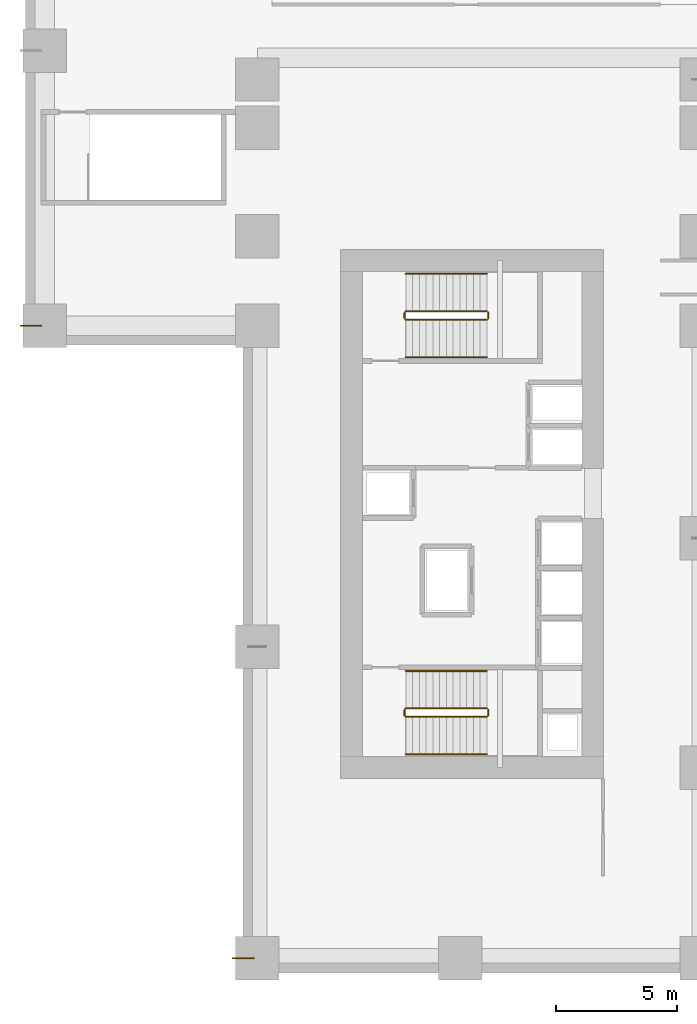
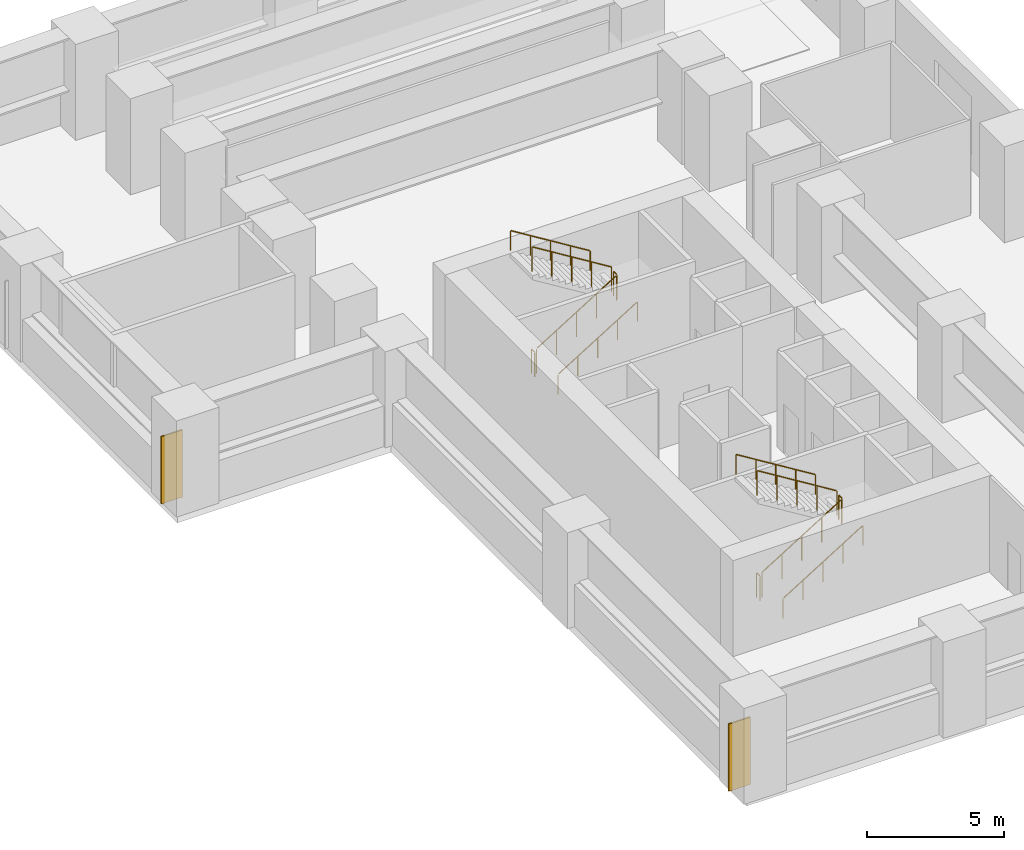
# One storey, part 10 of 12: 12 railings, 2 coverings.
"""IFC4 building model written with IfcOpenShell, lengths in metres."""

from ifc_helpers import new_model, si_unit, direction, frame, origin, origin_2d, place, context, subcontext, project, spatial, rectangle, circle, extrude, source, transform, mapped, material, layer, layer_set, type_object, element, save


model = new_model("IFC4")

# Units and contexts
model_context = context("Model", 3, precision=1e-05, world=origin(), true_north=direction((0.0, 1.0)))
body_context = subcontext(model_context, "Body", "Model", "MODEL_VIEW")
ifc_project = project(units=[si_unit("LENGTHUNIT", "METRE"), si_unit("AREAUNIT", "SQUARE_METRE"), si_unit("VOLUMEUNIT", "CUBIC_METRE"), si_unit("PLANEANGLEUNIT", "RADIAN"), si_unit("MASSUNIT", "GRAM", prefix="KILO")], contexts=[model_context])

# Site, building, storey
site_placement = place(None, origin())
site = spatial("IfcSite", under=ifc_project, at=site_placement, CompositionType="ELEMENT")
building_placement = place(site_placement, origin())
building = spatial("IfcBuilding", under=site, at=building_placement, Name="Kharzan Plaza Tower", CompositionType="ELEMENT")
storey_placement = place(building_placement, frame((0.0, 0.0, 18.0)))
storey = spatial("IfcBuildingStorey", under=building, at=storey_placement, Name="L04", CompositionType="ELEMENT", Elevation=18.0)

# Railings
ifc_material_1 = material(Name="Painted Galvanized Architectural Steel", Category="steel")
ifc_layer_1 = layer(ifc_material_1, 0.074951171875)
ifc_layer_set_1 = layer_set([ifc_layer_1], Name="Painted Galvanized Architectural Steel")
railing_type_1 = type_object("IfcRailingType", Name="RL-GUARD-1120", PredefinedType="BALUSTRADE", material=ifc_layer_set_1)
shared_shape_1 = source(origin(), body_context, "Body", "SweptSolid", [
    extrude(circle(Radius=0.02392578125, at=origin_2d()), frame((0.0224609375, 0.0, 1.10986328125), z_axis=(0.850623216509, 0.0, 0.525775754039), x_axis=(0.0, 1.0, 0.0)), (0.0, 0.0, 1.0), 3.897216796875),
    extrude(circle(Radius=0.02099609375, at=origin_2d()), origin(), (0.0, 0.0, 1.0), 1.072021484375),
    extrude(circle(Radius=0.02099609375, at=origin_2d()), frame((0.840087890625, 0.0, 0.519287109375)), (0.0, 0.0, 1.0), 1.072021484375),
    extrude(circle(Radius=0.02099609375, at=origin_2d()), frame((1.68017578125, 0.0, 1.03857421875)), (0.0, 0.0, 1.0), 1.072021484375),
    extrude(circle(Radius=0.02099609375, at=origin_2d()), frame((2.52001953125, 0.0, 1.5576171875)), (0.0, 0.0, 1.0), 1.072021484375),
    extrude(circle(Radius=0.02099609375, at=origin_2d()), frame((3.360107421875, 0.0, 2.076904296875)), (0.0, 0.0, 1.0), 1.072021484375),
])
for number, where, name in (
    (1, (6.75, 10.60009765625, 0.173095703125), "L04 ST-1 stair guard 1"),
    (2, (6.75, 27.050048828125, 0.173095703125), "L04 ST-2 stair guard 1"),
):
    element("IfcRailing", number, at=place(storey_placement, frame(where)), inside=storey, type_object=railing_type_1, Name=name, PredefinedType="BALUSTRADE", context=body_context, shape_type="MappedRepresentation", body=[
        mapped(shared_shape_1, transform((0.0, 0.0, 0.0), x_axis=(1.0, 0.0, 0.0), y_axis=(0.0, 1.0, 0.0), z_axis=(0.0, 0.0, 1.0))),
    ])
shared_shape_2 = source(origin(), body_context, "Body", "SweptSolid", [
    extrude(circle(Radius=0.02392578125, at=origin_2d()), frame((0.0, 0.0263671875, 1.09619140625), z_axis=(0.0, 1.0, 0.0), x_axis=(-1.0, 0.0, 0.0)), (0.0, 0.0, 1.0), 0.197021484375),
    extrude(circle(Radius=0.02099609375, at=origin_2d()), origin(), (0.0, 0.0, 1.0), 1.072021484375),
    extrude(circle(Radius=0.02099609375, at=origin_2d()), frame((0.0, 0.25, 0.0)), (0.0, 0.0, 1.0), 1.072021484375),
])
for number, where, name in (
    (3, (10.159912109375, 10.64990234375, 2.25), "L04 ST-1 stair guard 2"),
    (4, (6.699951171875, 10.64990234375, 0.0), "L04 ST-1 stair guard 4"),
    (5, (10.159912109375, 27.10009765625, 2.25), "L04 ST-2 stair guard 2"),
    (6, (6.699951171875, 27.10009765625, 0.0), "L04 ST-2 stair guard 4"),
):
    element("IfcRailing", number, at=place(storey_placement, frame(where)), inside=storey, type_object=railing_type_1, Name=name, PredefinedType="BALUSTRADE", context=body_context, shape_type="MappedRepresentation", body=[
        mapped(shared_shape_2, transform((0.0, 0.0, 0.0), x_axis=(1.0, 0.0, 0.0), y_axis=(0.0, 1.0, 0.0), z_axis=(0.0, 0.0, 1.0))),
    ])
shared_shape_3 = source(origin(), body_context, "Body", "SweptSolid", [
    extrude(circle(Radius=0.02392578125, at=origin_2d()), frame((-0.0224609375, 0.0, 1.10986328125), z_axis=(-0.850623216509, 0.0, 0.525775754039), x_axis=(0.0, -1.0, 0.0)), (0.0, 0.0, 1.0), 3.897216796875),
    extrude(circle(Radius=0.02099609375, at=origin_2d()), origin(), (0.0, 0.0, 1.0), 1.072021484375),
    extrude(circle(Radius=0.02099609375, at=origin_2d()), frame((-0.840087890625, 0.0, 0.519287109375)), (0.0, 0.0, 1.0), 1.072021484375),
    extrude(circle(Radius=0.02099609375, at=origin_2d()), frame((-1.68017578125, 0.0, 1.03857421875)), (0.0, 0.0, 1.0), 1.072021484375),
    extrude(circle(Radius=0.02099609375, at=origin_2d()), frame((-2.52001953125, 0.0, 1.5576171875)), (0.0, 0.0, 1.0), 1.072021484375),
    extrude(circle(Radius=0.02099609375, at=origin_2d()), frame((-3.360107421875, 0.0, 2.076904296875)), (0.0, 0.0, 1.0), 1.072021484375),
])
for number, where, name in (
    (7, (10.110107421875, 10.949951171875, 2.423095703125), "L04 ST-1 stair guard 3"),
    (8, (10.110107421875, 27.39990234375, 2.423095703125), "L04 ST-2 stair guard 3"),
):
    element("IfcRailing", number, at=place(storey_placement, frame(where)), inside=storey, type_object=railing_type_1, Name=name, PredefinedType="BALUSTRADE", context=body_context, shape_type="MappedRepresentation", body=[
        mapped(shared_shape_3, transform((0.0, 0.0, 0.0), x_axis=(1.0, 0.0, 0.0), y_axis=(0.0, 1.0, 0.0), z_axis=(0.0, 0.0, 1.0))),
    ])
ifc_material_2 = material(Name="Brushed Stainless Steel", Category="steel")
ifc_layer_2 = layer(ifc_material_2, 0.050048828125)
ifc_layer_set_2 = layer_set([ifc_layer_2], Name="Brushed Stainless Steel")
railing_type_2 = type_object("IfcRailingType", Name="RL-STAIR-HR920", PredefinedType="HANDRAIL", material=ifc_layer_set_2)
shared_shape_4 = source(origin(), body_context, "Body", "SweptSolid", [
    extrude(circle(Radius=0.02392578125, at=origin_2d()), frame((0.0224609375, 0.0, 0.8896484375), z_axis=(0.850623216509, 0.0, 0.525775754039), x_axis=(0.0, 1.0, 0.0)), (0.0, 0.0, 1.0), 3.897216796875),
    extrude(circle(Radius=0.02099609375, at=origin_2d()), origin(), (0.0, 0.0, 1.0), 0.851806640625),
    extrude(circle(Radius=0.02099609375, at=origin_2d()), frame((0.840087890625, 0.0, 0.519287109375)), (0.0, 0.0, 1.0), 0.851806640625),
    extrude(circle(Radius=0.02099609375, at=origin_2d()), frame((1.68017578125, 0.0, 1.03857421875)), (0.0, 0.0, 1.0), 0.851806640625),
    extrude(circle(Radius=0.02099609375, at=origin_2d()), frame((2.52001953125, 0.0, 1.5576171875)), (0.0, 0.0, 1.0), 0.851806640625),
    extrude(circle(Radius=0.02099609375, at=origin_2d()), frame((3.360107421875, 0.0, 2.076904296875)), (0.0, 0.0, 1.0), 0.851806640625),
])
for number, where, name in (
    (9, (6.75, 9.050048828125, 0.173095703125), "L04 ST-1 stair handrail 1"),
    (10, (6.75, 25.5, 0.173095703125), "L04 ST-2 stair handrail 1"),
):
    element("IfcRailing", number, at=place(storey_placement, frame(where)), inside=storey, type_object=railing_type_2, Name=name, PredefinedType="HANDRAIL", context=body_context, shape_type="MappedRepresentation", body=[
        mapped(shared_shape_4, transform((0.0, 0.0, 0.0), x_axis=(1.0, 0.0, 0.0), y_axis=(0.0, 1.0, 0.0), z_axis=(0.0, 0.0, 1.0))),
    ])
shared_shape_5 = source(origin(), body_context, "Body", "SweptSolid", [
    extrude(circle(Radius=0.02392578125, at=origin_2d()), frame((-0.0224609375, 0.0, 0.8896484375), z_axis=(-0.850623216509, 0.0, 0.525775754039), x_axis=(0.0, -1.0, 0.0)), (0.0, 0.0, 1.0), 3.897216796875),
    extrude(circle(Radius=0.02099609375, at=origin_2d()), origin(), (0.0, 0.0, 1.0), 0.851806640625),
    extrude(circle(Radius=0.02099609375, at=origin_2d()), frame((-0.840087890625, 0.0, 0.519287109375)), (0.0, 0.0, 1.0), 0.851806640625),
    extrude(circle(Radius=0.02099609375, at=origin_2d()), frame((-1.68017578125, 0.0, 1.03857421875)), (0.0, 0.0, 1.0), 0.851806640625),
    extrude(circle(Radius=0.02099609375, at=origin_2d()), frame((-2.52001953125, 0.0, 1.5576171875)), (0.0, 0.0, 1.0), 0.851806640625),
    extrude(circle(Radius=0.02099609375, at=origin_2d()), frame((-3.360107421875, 0.0, 2.076904296875)), (0.0, 0.0, 1.0), 0.851806640625),
])
for number, where, name in (
    (11, (10.110107421875, 12.5, 2.423095703125), "L04 ST-1 stair handrail 2"),
    (12, (10.110107421875, 28.949951171875, 2.423095703125), "L04 ST-2 stair handrail 2"),
):
    element("IfcRailing", number, at=place(storey_placement, frame(where)), inside=storey, type_object=railing_type_2, Name=name, PredefinedType="HANDRAIL", context=body_context, shape_type="MappedRepresentation", body=[
        mapped(shared_shape_5, transform((0.0, 0.0, 0.0), x_axis=(1.0, 0.0, 0.0), y_axis=(0.0, 1.0, 0.0), z_axis=(0.0, 0.0, 1.0))),
    ])

# Coverings
ifc_material_3 = material(Name="Honed Riyadh Limestone", Category="masonry")
ifc_layer_3 = layer(ifc_material_3, 0.06005859375)
ifc_layer_set_3 = layer_set([ifc_layer_3], Name="Honed Riyadh Limestone")
covering_type = type_object("IfcCoveringType", Name="COV-CLAD-STONE", PredefinedType="CLADDING", material=ifc_layer_set_3)
shared_shape_6 = source(origin(), body_context, "Body", "SweptSolid", [
    extrude(rectangle(XDim=0.06005859375, YDim=0.89990234375, at=origin_2d()), origin(), (0.0, 0.0, 1.0), 3.0),
])
for number, where, z_axis, x_axis, name in (
    (13, (-8.780029296875, 26.800048828125, 0.10009765625), (0.0, 0.0, 1.0), (0.0, 1.0, 0.0), "L04 Limestone Pier Rainscreen Cladding MC01"),
    (14, (0.02001953125, 0.60009765625, 0.10009765625), (0.0, 0.0, 1.0), (0.0, 1.0, 0.0), "L04 Limestone Pier Rainscreen Cladding MC04"),
):
    element("IfcCovering", number, at=place(storey_placement, frame(where, z_axis=z_axis, x_axis=x_axis)), inside=storey, type_object=covering_type, Name=name, PredefinedType="CLADDING", context=body_context, shape_type="MappedRepresentation", body=[
        mapped(shared_shape_6, transform((0.0, 0.0, 0.0), x_axis=(1.0, 0.0, 0.0), y_axis=(0.0, 1.0, 0.0), z_axis=(0.0, 0.0, 1.0))),
    ])

save(model, "model.ifc")
